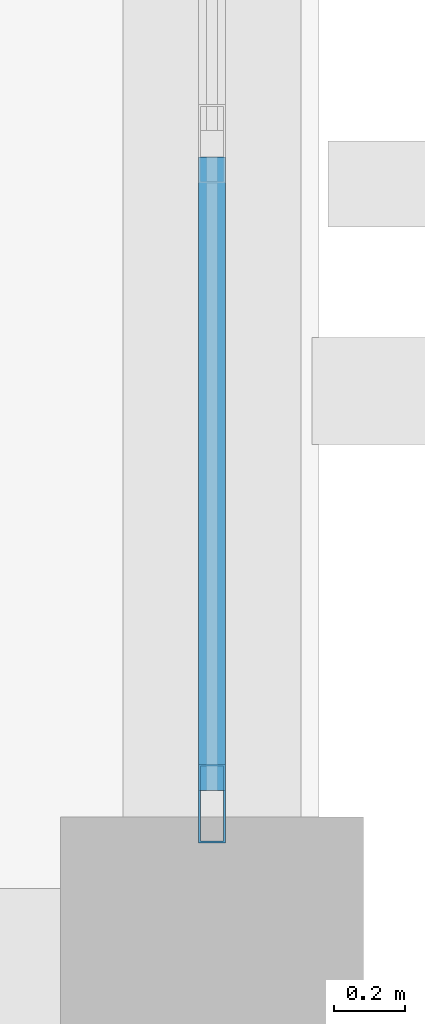
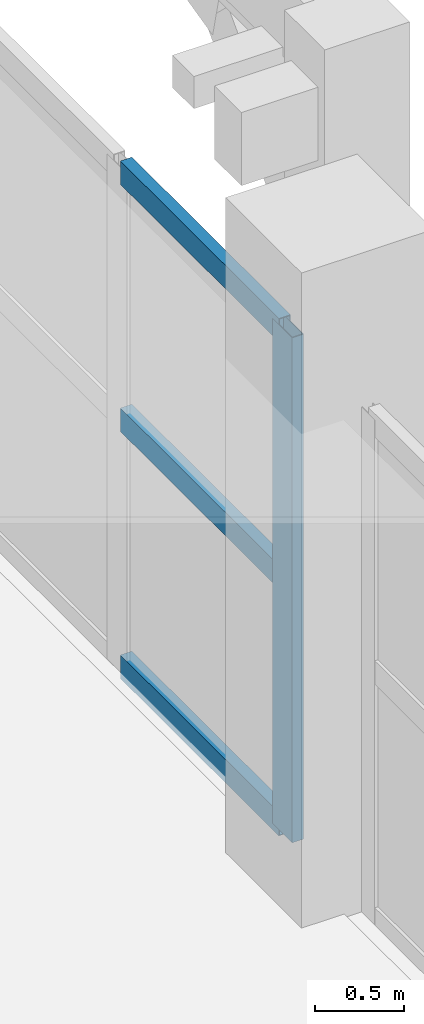
# One storey, part 51 of 129: 4 members, 1 element without a shape of its own.
"""IFC4 building model written with IfcOpenShell, lengths in metres."""

from ifc_helpers import new_model, si_unit, direction, frame, origin, origin_2d, place, context, subcontext, project, spatial, hollow_rectangle, extrude, material, layer, layer_set, material_profile, profile_set, type_object, element, aggregate, save


model = new_model("IFC4")

# Units and contexts
model_context = context("Model", 3, precision=1e-05, world=origin(), true_north=direction((0.0, 1.0)))
body_context = subcontext(model_context, "Body", "Model", "MODEL_VIEW")
ifc_project = project(units=[si_unit("LENGTHUNIT", "METRE"), si_unit("AREAUNIT", "SQUARE_METRE"), si_unit("VOLUMEUNIT", "CUBIC_METRE"), si_unit("PLANEANGLEUNIT", "RADIAN"), si_unit("MASSUNIT", "GRAM", prefix="KILO")], contexts=[model_context])

# Site, building, storey
site_placement = place(None, origin())
site = spatial("IfcSite", under=ifc_project, at=site_placement, CompositionType="ELEMENT")
building_placement = place(site_placement, origin())
building = spatial("IfcBuilding", under=site, at=building_placement, Name="Xazarin Passage Department Store", CompositionType="ELEMENT")
storey_placement = place(building_placement, frame((0.0, 0.0, 9.89990234375)))
storey = spatial("IfcBuildingStorey", under=building, at=storey_placement, Name="L02", CompositionType="ELEMENT", Elevation=9.89990234375)

# Curtain wall, members
ifc_material = material(Name="Bronze anodised aluminium", Category="aluminium")
ifc_layer = layer(ifc_material, 0.199951171875)
ifc_layer_set = layer_set([ifc_layer], Name="Bronze anodised aluminium")
curtain_wall_type = type_object("IfcCurtainWallType", Name="ARC-CW-VIT2", PredefinedType="NOTDEFINED", material=ifc_layer_set)
curtain_wall_placement = place(storey_placement, origin())
curtain_wall = element("IfcCurtainWall", 1, at=curtain_wall_placement, inside=storey, type_object=curtain_wall_type, Name="L02 V1 Curtain Wall 053", PredefinedType="NOTDEFINED")
ifc_material_profile_1 = material_profile(ifc_material, hollow_rectangle(XDim=0.074951171875, YDim=0.219970703125, WallThickness=0.0048828125, at=origin_2d()), Name="ALU 75x220")
ifc_profile_set_1 = profile_set([ifc_material_profile_1], Name="Bronze anodised aluminium")
member_type_1 = type_object("IfcMemberType", Name="ARC-CWM-75x220", PredefinedType="MULLION", material=ifc_profile_set_1)
member_1_placement = place(storey_placement, frame((50.39990234375, 93.66259765625, 0.0), z_axis=(0.0, 0.0, 1.0), x_axis=(-1.0, 0.0, 0.0)))
member_1 = element("IfcMember", 2, at=member_1_placement, type_object=member_type_1, Name="CW2 mullion 1", PredefinedType="MULLION", context=body_context, shape_type="SweptSolid", body=[
    extrude(hollow_rectangle(XDim=0.074951171875, YDim=0.219970703125, WallThickness=0.0048828125, at=origin_2d()), origin(), (0.0, 0.0, 1.0), 3.4501953125),
])
ifc_material_profile_2 = material_profile(ifc_material, hollow_rectangle(XDim=0.074951171875, YDim=0.159912109375, WallThickness=0.00439453125, at=origin_2d()), Name="ALU 75x160")
ifc_profile_set_2 = profile_set([ifc_material_profile_2], Name="Bronze anodised aluminium")
member_type_2 = type_object("IfcMemberType", Name="ARC-CWT-75x160", PredefinedType="USERDEFINED", material=ifc_profile_set_2)
member_2_placement = place(storey_placement, frame((50.39990234375, 93.699951171875, 0.03759765625), z_axis=(0.0, 1.0, 0.0), x_axis=(-1.0, 0.0, 0.0)))
member_2 = element("IfcMember", 3, at=member_2_placement, type_object=member_type_2, Name="CW2 transom 1.1", ObjectType="TRANSOM", PredefinedType="USERDEFINED", context=body_context, shape_type="SweptSolid", body=[
    extrude(hollow_rectangle(XDim=0.074951171875, YDim=0.159912109375, WallThickness=0.00439453125, at=origin_2d()), origin(), (0.0, 0.0, 1.0), 1.775146484375),
])
member_3_placement = place(storey_placement, frame((50.39990234375, 93.699951171875, 1.72509765625), z_axis=(0.0, 1.0, 0.0), x_axis=(-1.0, 0.0, 0.0)))
member_3 = element("IfcMember", 4, at=member_3_placement, type_object=member_type_2, Name="CW2 transom 1.2", ObjectType="TRANSOM", PredefinedType="USERDEFINED", context=body_context, shape_type="SweptSolid", body=[
    extrude(hollow_rectangle(XDim=0.074951171875, YDim=0.159912109375, WallThickness=0.00439453125, at=origin_2d()), origin(), (0.0, 0.0, 1.0), 1.775146484375),
])
member_4_placement = place(storey_placement, frame((50.39990234375, 93.699951171875, 3.41259765625), z_axis=(0.0, 1.0, 0.0), x_axis=(-1.0, 0.0, 0.0)))
member_4 = element("IfcMember", 5, at=member_4_placement, type_object=member_type_2, Name="CW2 transom 1.3", ObjectType="TRANSOM", PredefinedType="USERDEFINED", context=body_context, shape_type="SweptSolid", body=[
    extrude(hollow_rectangle(XDim=0.074951171875, YDim=0.159912109375, WallThickness=0.00439453125, at=origin_2d()), origin(), (0.0, 0.0, 1.0), 1.775146484375),
])
aggregate(curtain_wall, [member_1, member_2, member_3, member_4])

save(model, "model.ifc")
